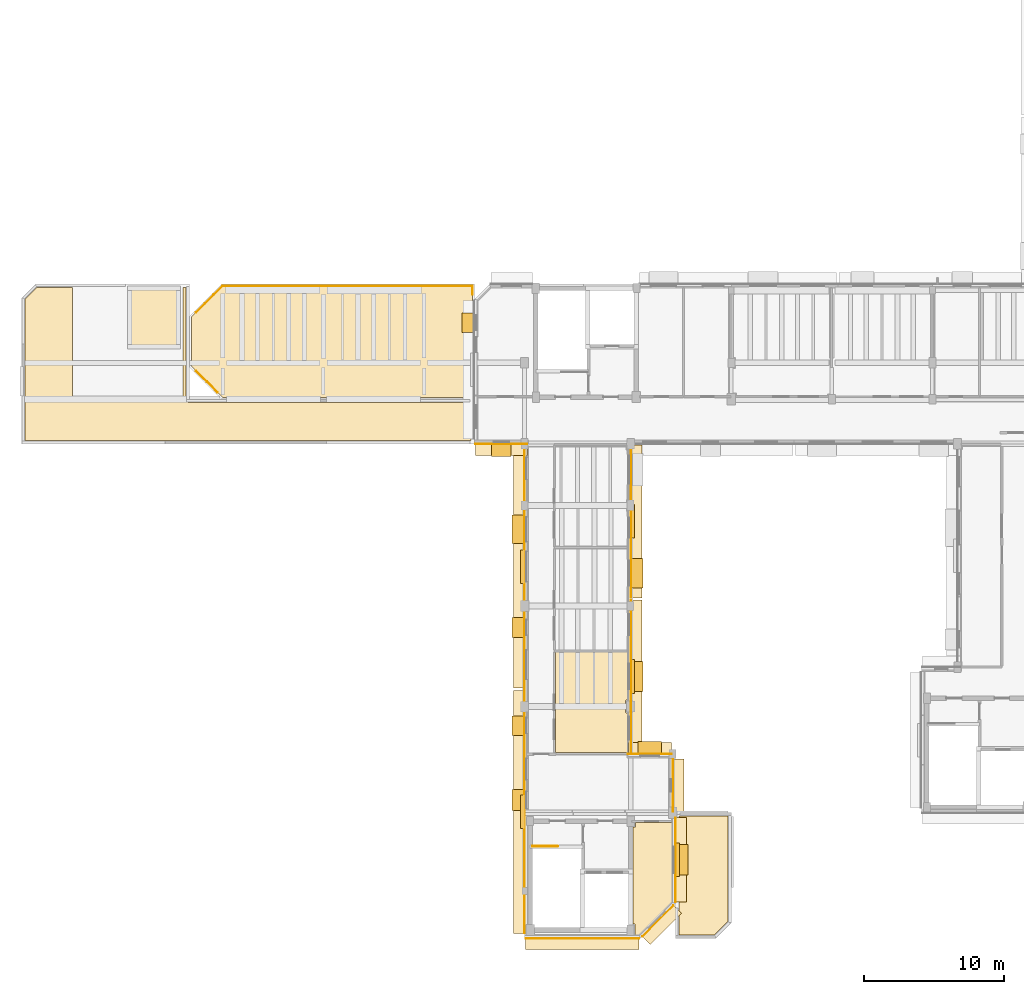
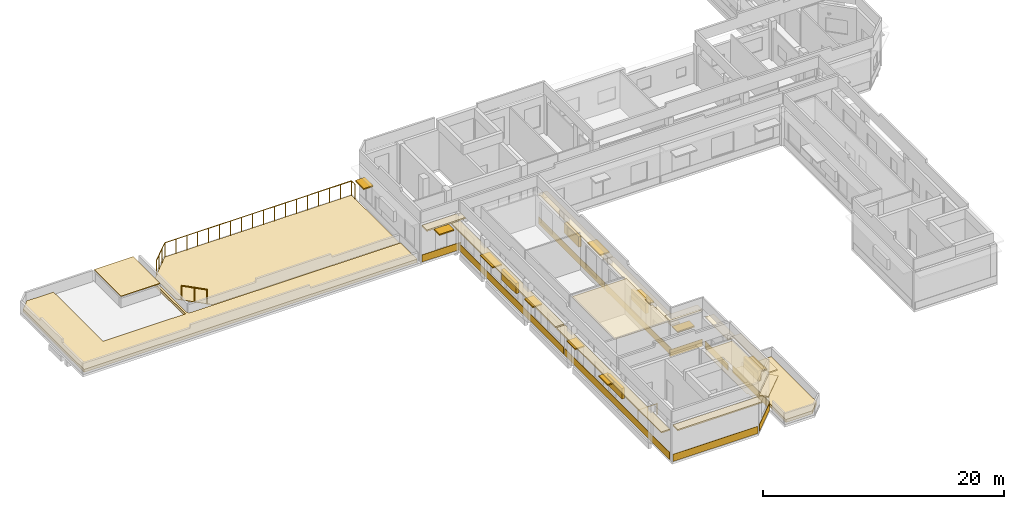
# One storey, part 14 of 17: 26 coverings, 15 shading devices, 3 railings.
"""IFC4 building model written with IfcOpenShell, lengths in metres."""

from ifc_helpers import new_model, si_unit, direction, frame, origin, origin_2d, place, context, subcontext, project, spatial, polyline, rectangle, circle, outline, extrude, material, layer, layer_set, type_object, element, save


model = new_model("IFC4")

# Units and contexts
model_context = context("Model", 3, precision=1e-05, world=origin(), true_north=direction((0.0, 1.0)))
body_context = subcontext(model_context, "Body", "Model", "MODEL_VIEW")
ifc_project = project(units=[si_unit("LENGTHUNIT", "METRE"), si_unit("AREAUNIT", "SQUARE_METRE"), si_unit("VOLUMEUNIT", "CUBIC_METRE"), si_unit("PLANEANGLEUNIT", "RADIAN"), si_unit("MASSUNIT", "GRAM", prefix="KILO")], contexts=[model_context])

# Site, building, storey
site_placement = place(None, origin())
site = spatial("IfcSite", under=ifc_project, at=site_placement, CompositionType="ELEMENT")
building_placement = place(site_placement, origin())
building = spatial("IfcBuilding", under=site, at=building_placement, Name="Kelanivale Promenade Academy", CompositionType="ELEMENT")
storey_placement = place(building_placement, frame((0.0, 0.0, 20.199951171875)))
storey = spatial("IfcBuildingStorey", under=building, at=storey_placement, Name="L05", CompositionType="ELEMENT", Elevation=20.199951171875)

# Coverings
ifc_material_1 = material(Name="Warm ivory Art Deco stucco frieze band 40 mm", Category="masonry")
ifc_layer_1 = layer(ifc_material_1, 0.0400390625)
ifc_layer_set_1 = layer_set([ifc_layer_1], Name="Warm ivory Art Deco stucco frieze band 40 mm")
covering_type_1 = type_object("IfcCoveringType", Name="COV-CLD2 Warm ivory Art Deco stucco frieze ba", PredefinedType="CLADDING", material=ifc_layer_set_1)
covering_1_placement = place(storey_placement, frame((90.199951171875, 43.9599609375, 3.09521484375), z_axis=(0.0, 0.0, 1.0), x_axis=(0.0, 1.0, 0.0)))
element("IfcCovering", 1, at=covering_1_placement, inside=storey, type_object=covering_type_1, Name="Art Deco projecting 820 mm streamline sunshade eyebrow ledge", PredefinedType="CLADDING", context=body_context, shape_type="SweptSolid", body=[
    extrude(rectangle(XDim=3.760009765625, YDim=0.820068359375, at=origin_2d()), origin(), (0.0, 0.0, 1.0), 0.139892578125),
])
covering_2_placement = place(storey_placement, frame((89.81494140625, 43.9599609375, 0.06005859375), z_axis=(0.0, 0.0, 1.0), x_axis=(0.0, 1.0, 0.0)))
element("IfcCovering", 2, at=covering_2_placement, inside=storey, type_object=covering_type_1, Name="Art Deco ivory stucco sill frieze band", PredefinedType="CLADDING", context=body_context, shape_type="SweptSolid", body=[
    extrude(rectangle(XDim=3.760009765625, YDim=0.0400390625, at=origin_2d()), origin(), (0.0, 0.0, 1.0), 0.719970703125),
])
covering_3_placement = place(storey_placement, frame((88.159912109375, 46.60009765625, 3.6201171875), z_axis=(0.0, 0.0, 1.0), x_axis=(-1.0, 0.0, 0.0)))
element("IfcCovering", 3, at=covering_3_placement, inside=storey, type_object=covering_type_1, Name="Art Deco projecting 820 mm streamline sunshade eyebrow ledge", PredefinedType="CLADDING", context=body_context, shape_type="SweptSolid", body=[
    extrude(rectangle(XDim=3.1201171875, YDim=0.820068359375, at=origin_2d()), origin(), (0.0, 0.0, 1.0), 0.139892578125),
])
covering_4_placement = place(storey_placement, frame((88.159912109375, 46.215087890625, 0.06005859375), z_axis=(0.0, 0.0, 1.0), x_axis=(-1.0, 0.0, 0.0)))
element("IfcCovering", 4, at=covering_4_placement, inside=storey, type_object=covering_type_1, Name="Art Deco ivory stucco sill frieze band", PredefinedType="CLADDING", context=body_context, shape_type="SweptSolid", body=[
    extrude(rectangle(XDim=3.1201171875, YDim=0.0400390625, at=origin_2d()), origin(), (0.0, 0.0, 1.0), 0.719970703125),
])
covering_5_placement = place(storey_placement, frame((87.199951171875, 51.75, 3.044921875), z_axis=(0.0, 0.0, 1.0), x_axis=(0.0, 1.0, 0.0)))
element("IfcCovering", 5, at=covering_5_placement, inside=storey, type_object=covering_type_1, Name="Art Deco projecting 820 mm streamline sunshade eyebrow ledge", PredefinedType="CLADDING", context=body_context, shape_type="SweptSolid", body=[
    extrude(rectangle(XDim=10.93994140625, YDim=0.820068359375, at=origin_2d()), origin(), (0.0, 0.0, 1.0), 0.139892578125),
])
covering_6_placement = place(storey_placement, frame((86.81494140625, 51.75, 0.06005859375), z_axis=(0.0, 0.0, 1.0), x_axis=(0.0, 1.0, 0.0)))
element("IfcCovering", 6, at=covering_6_placement, inside=storey, type_object=covering_type_1, Name="Art Deco ivory stucco sill frieze band", PredefinedType="CLADDING", context=body_context, shape_type="SweptSolid", body=[
    extrude(rectangle(XDim=10.93994140625, YDim=0.0400390625, at=origin_2d()), origin(), (0.0, 0.0, 1.0), 0.719970703125),
])
covering_7_placement = place(storey_placement, frame((87.199951171875, 62.85009765625, 2.9951171875), z_axis=(0.0, 0.0, 1.0), x_axis=(0.0, 1.0, 0.0)))
element("IfcCovering", 7, at=covering_7_placement, inside=storey, type_object=covering_type_1, Name="Art Deco projecting 820 mm streamline sunshade eyebrow ledge", PredefinedType="CLADDING", context=body_context, shape_type="SweptSolid", body=[
    extrude(rectangle(XDim=10.93994140625, YDim=0.820068359375, at=origin_2d()), origin(), (0.0, 0.0, 1.0), 0.139892578125),
])
covering_8_placement = place(storey_placement, frame((86.81494140625, 62.85009765625, 0.06005859375), z_axis=(0.0, 0.0, 1.0), x_axis=(0.0, 1.0, 0.0)))
element("IfcCovering", 8, at=covering_8_placement, inside=storey, type_object=covering_type_1, Name="Art Deco ivory stucco sill frieze band", PredefinedType="CLADDING", context=body_context, shape_type="SweptSolid", body=[
    extrude(rectangle(XDim=10.93994140625, YDim=0.0400390625, at=origin_2d()), origin(), (0.0, 0.0, 1.0), 0.719970703125),
])
covering_9_placement = place(storey_placement, frame((77.5400390625, 68.0, 3.6201171875), z_axis=(0.0, 0.0, 1.0), x_axis=(1.0, 0.0, 0.0)))
element("IfcCovering", 9, at=covering_9_placement, inside=storey, type_object=covering_type_1, Name="Art Deco projecting 820 mm streamline sunshade eyebrow ledge", PredefinedType="CLADDING", context=body_context, shape_type="SweptSolid", body=[
    extrude(rectangle(XDim=3.719970703125, YDim=0.820068359375, at=origin_2d()), origin(), (0.0, 0.0, 1.0), 0.139892578125),
])
covering_10_placement = place(storey_placement, frame((77.5400390625, 68.385009765625, 0.06005859375), z_axis=(0.0, 0.0, 1.0), x_axis=(1.0, 0.0, 0.0)))
element("IfcCovering", 10, at=covering_10_placement, inside=storey, type_object=covering_type_1, Name="Art Deco ivory stucco sill frieze band", PredefinedType="CLADDING", context=body_context, shape_type="SweptSolid", body=[
    extrude(rectangle(XDim=3.719970703125, YDim=0.0400390625, at=origin_2d()), origin(), (0.0, 0.0, 1.0), 0.719970703125),
])
covering_11_placement = place(storey_placement, frame((78.800048828125, 59.6201171875, 2.9951171875), z_axis=(0.0, 0.0, 1.0), x_axis=(0.0, -1.0, 0.0)))
element("IfcCovering", 11, at=covering_11_placement, inside=storey, type_object=covering_type_1, Name="Art Deco projecting 820 mm streamline sunshade eyebrow ledge", PredefinedType="CLADDING", context=body_context, shape_type="SweptSolid", body=[
    extrude(rectangle(XDim=17.39990234375, YDim=0.820068359375, at=origin_2d()), origin(), (0.0, 0.0, 1.0), 0.139892578125),
])
covering_12_placement = place(storey_placement, frame((79.18505859375, 59.6201171875, 0.06005859375), z_axis=(0.0, 0.0, 1.0), x_axis=(0.0, -1.0, 0.0)))
element("IfcCovering", 12, at=covering_12_placement, inside=storey, type_object=covering_type_1, Name="Art Deco ivory stucco sill frieze band", PredefinedType="CLADDING", context=body_context, shape_type="SweptSolid", body=[
    extrude(rectangle(XDim=17.39990234375, YDim=0.0400390625, at=origin_2d()), origin(), (0.0, 0.0, 1.0), 0.719970703125),
])
covering_13_placement = place(storey_placement, frame((78.800048828125, 42.06005859375, 2.9951171875), z_axis=(0.0, 0.0, 1.0), x_axis=(0.0, -1.0, 0.0)))
element("IfcCovering", 13, at=covering_13_placement, inside=storey, type_object=covering_type_1, Name="Art Deco projecting 820 mm streamline sunshade eyebrow ledge", PredefinedType="CLADDING", context=body_context, shape_type="SweptSolid", body=[
    extrude(rectangle(XDim=17.39990234375, YDim=0.820068359375, at=origin_2d()), origin(), (0.0, 0.0, 1.0), 0.139892578125),
])
covering_14_placement = place(storey_placement, frame((79.18505859375, 42.06005859375, 0.06005859375), z_axis=(0.0, 0.0, 1.0), x_axis=(0.0, -1.0, 0.0)))
element("IfcCovering", 14, at=covering_14_placement, inside=storey, type_object=covering_type_1, Name="Art Deco ivory stucco sill frieze band", PredefinedType="CLADDING", context=body_context, shape_type="SweptSolid", body=[
    extrude(rectangle(XDim=17.39990234375, YDim=0.0400390625, at=origin_2d()), origin(), (0.0, 0.0, 1.0), 0.719970703125),
])
covering_15_placement = place(storey_placement, frame((83.339111328125, 32.60009765625, 3.6201171875), z_axis=(0.0, 0.0, 1.0), x_axis=(1.0, 0.0, 0.0)))
element("IfcCovering", 15, at=covering_15_placement, inside=storey, type_object=covering_type_1, Name="Art Deco projecting 820 mm streamline sunshade eyebrow ledge", PredefinedType="CLADDING", context=body_context, shape_type="SweptSolid", body=[
    extrude(rectangle(XDim=8.117919921875, YDim=0.820068359375, at=origin_2d()), origin(), (0.0, 0.0, 1.0), 0.139892578125),
])
covering_16_placement = place(storey_placement, frame((83.339111328125, 32.985107421875, 0.06005859375), z_axis=(0.0, 0.0, 1.0), x_axis=(1.0, 0.0, 0.0)))
element("IfcCovering", 16, at=covering_16_placement, inside=storey, type_object=covering_type_1, Name="Art Deco ivory stucco sill frieze band", PredefinedType="CLADDING", context=body_context, shape_type="SweptSolid", body=[
    extrude(rectangle(XDim=8.117919921875, YDim=0.0400390625, at=origin_2d()), origin(), (0.0, 0.0, 1.0), 0.719970703125),
])
covering_17_placement = place(storey_placement, frame((89.02294921875, 33.97705078125, 3.6201171875), z_axis=(0.0, 0.0, 1.0), x_axis=(0.707106781187, 0.707106781187, 0.0)))
element("IfcCovering", 17, at=covering_17_placement, inside=storey, type_object=covering_type_1, Name="Art Deco projecting 820 mm streamline sunshade eyebrow ledge", PredefinedType="CLADDING", context=body_context, shape_type="SweptSolid", body=[
    extrude(rectangle(XDim=3.1630859375, YDim=0.820068359375, at=origin_2d()), origin(), (0.0, 0.0, 1.0), 0.139892578125),
])
covering_18_placement = place(storey_placement, frame((88.7509765625, 34.2490234375, 0.06005859375), z_axis=(0.0, 0.0, 1.0), x_axis=(0.707106781187, 0.707106781187, 0.0)))
element("IfcCovering", 18, at=covering_18_placement, inside=storey, type_object=covering_type_1, Name="Art Deco ivory stucco sill frieze band", PredefinedType="CLADDING", context=body_context, shape_type="SweptSolid", body=[
    extrude(rectangle(XDim=3.1630859375, YDim=0.0400390625, at=origin_2d()), origin(), (0.0, 0.0, 1.0), 0.719970703125),
])
covering_19_placement = place(storey_placement, frame((90.39990234375, 38.62109375, 3.6201171875), z_axis=(0.0, 0.0, 1.0), x_axis=(0.0, 1.0, 0.0)))
element("IfcCovering", 19, at=covering_19_placement, inside=storey, type_object=covering_type_1, Name="Art Deco projecting 820 mm streamline sunshade eyebrow ledge", PredefinedType="CLADDING", context=body_context, shape_type="SweptSolid", body=[
    extrude(rectangle(XDim=6.0380859375, YDim=0.820068359375, at=origin_2d()), origin(), (0.0, 0.0, 1.0), 0.139892578125),
])
covering_20_placement = place(storey_placement, frame((90.014892578125, 38.62109375, 0.06005859375), z_axis=(0.0, 0.0, 1.0), x_axis=(0.0, 1.0, 0.0)))
element("IfcCovering", 20, at=covering_20_placement, inside=storey, type_object=covering_type_1, Name="Art Deco ivory stucco sill frieze band", PredefinedType="CLADDING", context=body_context, shape_type="SweptSolid", body=[
    extrude(rectangle(XDim=6.0380859375, YDim=0.0400390625, at=origin_2d()), origin(), (0.0, 0.0, 1.0), 0.719970703125),
])
ifc_material_2 = material(Name="Acoustic mineral-fibre ceiling tile 25 mm", Category="gypsum")
ifc_layer_2 = layer(ifc_material_2, 0.02490234375)
ifc_layer_set_2 = layer_set([ifc_layer_2], Name="Acoustic mineral-fibre ceiling tile 25 mm")
covering_type_2 = type_object("IfcCoveringType", Name="COV-CLG1 Acoustic mineral-fibre ceiling tile ", PredefinedType="CEILING", material=ifc_layer_set_2)
covering_21_placement = place(storey_placement, frame((0.0, 0.0, 3.550048828125)))
element("IfcCovering", 21, at=covering_21_placement, inside=storey, type_object=covering_type_2, Name="Examinations Staff Office acoustic suspended ceiling", PredefinedType="CEILING", context=body_context, shape_type="SweptSolid", body=[
    extrude(outline(polyline([(86.9599609375, 34.034912109375), (87.070068359375, 34.034912109375), (87.073974609375, 34.034912109375), (87.077880859375, 34.033935546875), (87.08203125, 34.032958984375), (87.0849609375, 34.031982421875), (87.089111328125, 34.030029296875), (87.092041015625, 34.028076171875), (87.094970703125, 34.02587890625), (87.097900390625, 34.02294921875), (87.10107421875, 34.02001953125), (87.10302734375, 34.01708984375), (87.10498046875, 34.013916015625), (87.10693359375, 34.010009765625), (87.10791015625, 34.007080078125), (87.10888671875, 34.0029296875), (87.110107421875, 33.9990234375), (87.110107421875, 33.9951171875), (87.110107421875, 33.205078125), (87.110107421875, 33.200927734375), (87.10888671875, 33.197021484375), (87.10791015625, 33.193115234375), (87.10693359375, 33.18994140625), (87.10498046875, 33.18603515625), (87.10302734375, 33.18310546875), (87.10107421875, 33.179931640625), (87.097900390625, 33.177001953125), (87.094970703125, 33.174072265625), (87.092041015625, 33.172119140625), (87.089111328125, 33.169921875), (87.0849609375, 33.16796875), (87.08203125, 33.1669921875), (87.077880859375, 33.166015625), (87.073974609375, 33.1650390625), (87.070068359375, 33.1650390625), (86.909912109375, 33.1650390625), (86.909912109375, 33.14990234375), (87.41796875, 33.14990234375), (89.85009765625, 35.58203125), (89.85009765625, 41.31494140625), (89.843994140625, 41.31103515625), (89.839111328125, 41.30810546875), (89.833984375, 41.304931640625), (89.827880859375, 41.302978515625), (89.822998046875, 41.301025390625), (89.818115234375, 41.299072265625), (89.81494140625, 41.298095703125), (89.81201171875, 41.297119140625), (89.803955078125, 41.2939453125), (89.794921875, 41.2919921875), (89.7890625, 41.291015625), (89.782958984375, 41.2900390625), (89.77587890625, 41.2900390625), (87.135009765625, 41.2900390625), (87.135009765625, 41.0048828125), (87.135009765625, 41.0009765625), (87.134033203125, 40.9970703125), (87.133056640625, 40.992919921875), (87.132080078125, 40.989990234375), (87.1298828125, 40.986083984375), (87.1279296875, 40.98291015625), (87.1259765625, 40.97998046875), (87.123046875, 40.97705078125), (87.1201171875, 40.97412109375), (87.116943359375, 40.971923828125), (87.114013671875, 40.969970703125), (87.110107421875, 40.968017578125), (87.10693359375, 40.967041015625), (87.10302734375, 40.966064453125), (87.09912109375, 40.965087890625), (87.094970703125, 40.965087890625), (86.9599609375, 40.965087890625), (86.9599609375, 34.034912109375)])), origin(), (0.0, 0.0, 1.0), 0.02490234375),
])
covering_22_placement = place(storey_placement, frame((0.0, 0.0, 3.550048828125)))
element("IfcCovering", 22, at=covering_22_placement, inside=storey, type_object=covering_type_2, Name="Sixth Form Classroom acoustic suspended ceiling", PredefinedType="CEILING", context=body_context, shape_type="SweptSolid", body=[
    extrude(outline(polyline([(86.64990234375, 46.31005859375), (86.64990234375, 49.139892578125), (86.47998046875, 49.139892578125), (86.47607421875, 49.139892578125), (86.471923828125, 49.14111328125), (86.468017578125, 49.14208984375), (86.465087890625, 49.14306640625), (86.4609375, 49.14501953125), (86.4580078125, 49.14697265625), (86.455078125, 49.14892578125), (86.451904296875, 49.152099609375), (86.448974609375, 49.155029296875), (86.447021484375, 49.157958984375), (86.445068359375, 49.160888671875), (86.443115234375, 49.1650390625), (86.44189453125, 49.16796875), (86.44091796875, 49.172119140625), (86.43994140625, 49.176025390625), (86.43994140625, 49.179931640625), (86.43994140625, 50.02001953125), (86.43994140625, 50.02392578125), (86.44091796875, 50.028076171875), (86.44189453125, 50.031982421875), (86.443115234375, 50.034912109375), (86.445068359375, 50.0390625), (86.447021484375, 50.0419921875), (86.448974609375, 50.044921875), (86.451904296875, 50.048095703125), (86.455078125, 50.051025390625), (86.4580078125, 50.052978515625), (86.4609375, 50.054931640625), (86.465087890625, 50.056884765625), (86.468017578125, 50.05810546875), (86.471923828125, 50.05908203125), (86.47607421875, 50.06005859375), (86.47998046875, 50.06005859375), (86.64990234375, 50.06005859375), (86.64990234375, 53.489990234375), (81.409912109375, 53.489990234375), (81.409912109375, 46.31005859375), (86.64990234375, 46.31005859375)])), origin(), (0.0, 0.0, 1.0), 0.02490234375),
])
ifc_material_3 = material(Name="Impact-absorbing EPDM rooftop Play Deck surfacing 40 mm", Category="masonry")
ifc_layer_3 = layer(ifc_material_3, 0.0400390625)
ifc_layer_set_3 = layer_set([ifc_layer_3], Name="Impact-absorbing EPDM rooftop Play Deck surfacing 40 mm")
covering_type_3 = type_object("IfcCoveringType", Name="COV-FLR3 Impact-absorbing EPDM rooftop Play D", PredefinedType="FLOORING", material=ifc_layer_set_3)
covering_23_placement = place(storey_placement, origin())
element("IfcCovering", 23, at=covering_23_placement, inside=storey, type_object=covering_type_3, Name="West Sixth Form Rooftop Play Deck EPDM safety surfacing", PredefinedType="FLOORING", context=body_context, shape_type="SweptSolid", body=[
    extrude(outline(polyline([(57.568115234375, 71.739990234375), (75.4599609375, 71.739990234375), (75.4599609375, 79.7099609375), (57.568115234375, 79.7099609375), (55.340087890625, 77.48193359375), (55.340087890625, 73.968017578125), (57.568115234375, 71.739990234375)])), origin(), (0.0, 0.0, 1.0), 0.0400390625),
])
ifc_material_4 = material(Name="Standing-seam zinc-aluminium insulated hall roofing 60 mm", Category="aluminium")
ifc_layer_4 = layer(ifc_material_4, 0.06005859375)
ifc_layer_set_4 = layer_set([ifc_layer_4], Name="Standing-seam zinc-aluminium insulated hall roofing 60 mm")
covering_type_4 = type_object("IfcCoveringType", Name="COV-RFG1 Standing-seam zinc-aluminium insulat", PredefinedType="ROOFING", material=ifc_layer_set_4)
covering_24_placement = place(storey_placement, frame((0.0, 0.0, 1.10009765625)))
element("IfcCovering", 24, at=covering_24_placement, inside=storey, type_object=covering_type_4, Name="CORE-4 overrun standing-seam roof membrane", PredefinedType="ROOFING", context=body_context, shape_type="SweptSolid", body=[
    extrude(outline(polyline([(50.784912109375, 75.22509765625), (54.534912109375, 75.22509765625), (54.534912109375, 79.68505859375), (50.784912109375, 79.68505859375), (50.784912109375, 75.22509765625)])), origin(), (0.0, 0.0, 1.0), 0.06005859375),
])
ifc_material_5 = material(Name="Extensive tropical planted green-roof substrate 300 mm", Category="masonry")
ifc_layer_5 = layer(ifc_material_5, 0.300048828125)
ifc_layer_set_5 = layer_set([ifc_layer_5], Name="Extensive tropical planted green-roof substrate 300 mm")
covering_type_5 = type_object("IfcCoveringType", Name="COV-RFG2 Extensive tropical planted green-roo", PredefinedType="ROOFING", material=ifc_layer_set_5)
covering_25_placement = place(storey_placement, origin())
element("IfcCovering", 25, at=covering_25_placement, inside=storey, type_object=covering_type_5, Name="L05 planted green-roof substrate", PredefinedType="ROOFING", context=body_context, shape_type="SweptSolid", body=[
    extrude(outline(polyline([(92.781005859375, 33.239990234375), (93.760009765625, 34.218994140625), (93.760009765625, 41.760009765625), (90.239990234375, 41.760009765625), (90.239990234375, 33.239990234375), (92.781005859375, 33.239990234375)])), origin(), (0.0, 0.0, 1.0), 0.300048828125),
])
covering_26_placement = place(storey_placement, origin())
element("IfcCovering", 26, at=covering_26_placement, inside=storey, type_object=covering_type_5, Name="L05 planted green-roof substrate", PredefinedType="ROOFING", context=body_context, shape_type="SweptSolid", body=[
    extrude(outline(polyline([(54.9599609375, 71.60009765625), (54.9599609375, 79.610107421875), (54.75, 79.610107421875), (54.75, 71.39990234375), (46.85009765625, 71.39990234375), (46.85009765625, 79.610107421875), (44.299072265625, 79.610107421875), (43.43994140625, 78.7509765625), (43.43994140625, 68.639892578125), (75.360107421875, 68.639892578125), (75.360107421875, 71.360107421875), (55.199951171875, 71.360107421875), (55.176025390625, 71.361083984375), (55.153076171875, 71.364990234375), (55.1298828125, 71.3701171875), (55.10791015625, 71.3779296875), (55.0869140625, 71.387939453125), (55.06689453125, 71.39990234375), (55.048095703125, 71.4140625), (55.030029296875, 71.429931640625), (55.013916015625, 71.447998046875), (55.0, 71.467041015625), (54.988037109375, 71.487060546875), (54.97802734375, 71.508056640625), (54.969970703125, 71.530029296875), (54.965087890625, 71.552978515625), (54.9609375, 71.575927734375), (54.9599609375, 71.60009765625)])), origin(), (0.0, 0.0, 1.0), 0.300048828125),
])

# Railings
ifc_material_6 = material(Name="Brushed stainless steel grade 316", Category="steel")
railing_type_1 = type_object("IfcRailingType", Name="GR-01 Stair Guard 1100mm", PredefinedType="BALUSTRADE", material=ifc_material_6)
railing_1_placement = place(storey_placement, frame((79.764892578125, 39.594970703125, 0.0)))
element("IfcRailing", 27, at=railing_1_placement, inside=storey, type_object=railing_type_1, Name="L05 ST-01 top well guard 1", PredefinedType="BALUSTRADE", context=body_context, shape_type="SweptSolid", body=[
    extrude(circle(Radius=0.02392578125, at=origin_2d()), frame((0.0, 0.0, 1.09619140625), z_axis=(1.0, 0.0, 0.0), x_axis=(0.0, 1.0, 0.0)), (0.0, 0.0, 1.0), 1.81005859375),
    extrude(circle(Radius=0.02099609375, at=origin_2d()), origin(), (0.0, 0.0, 1.0), 1.072021484375),
    extrude(circle(Radius=0.02099609375, at=origin_2d()), frame((0.905029296875, 0.0, 0.0)), (0.0, 0.0, 1.0), 1.072021484375),
    extrude(circle(Radius=0.02099609375, at=origin_2d()), frame((1.81005859375, 0.0, 0.0)), (0.0, 0.0, 1.0), 1.072021484375),
])
ifc_material_7 = material(Name="Powder-coated galvanized steel and stainless top rail", Category="steel")
railing_type_2 = type_object("IfcRailingType", Name="GR-02 Play Deck Balustrade 1500mm", PredefinedType="BALUSTRADE", material=ifc_material_7)
railing_2_placement = place(storey_placement, frame((55.679931640625, 77.822021484375, 0.0)))
element("IfcRailing", 28, at=railing_2_placement, inside=storey, type_object=railing_type_2, Name="West Sixth Form Rooftop Play Deck 1500 mm safety balustrade", PredefinedType="BALUSTRADE", context=body_context, shape_type="SweptSolid", body=[
    extrude(circle(Radius=0.02392578125, at=origin_2d()), frame((0.0, 0.0, 1.47607421875), z_axis=(0.707152496834, 0.707061062583, 0.0), x_axis=(-0.707061062583, 0.707152496834, 0.0)), (0.0, 0.0, 1.0), 2.670166015625),
    extrude(circle(Radius=0.02392578125, at=origin_2d()), frame((1.88818359375, 1.887939453125, 1.47607421875), z_axis=(1.0, 0.0, 0.0), x_axis=(0.0, 1.0, 0.0)), (0.0, 0.0, 1.0), 17.891845703125),
    extrude(circle(Radius=0.02392578125, at=origin_2d()), frame((19.780029296875, 1.887939453125, 1.47607421875), z_axis=(0.0, -1.0, 0.0), x_axis=(1.0, 0.0, 0.0)), (0.0, 0.0, 1.0), 0.60498046875),
    extrude(circle(Radius=0.02099609375, at=origin_2d()), origin(), (0.0, 0.0, 1.0), 1.451904296875),
    extrude(circle(Radius=0.02099609375, at=origin_2d()), frame((0.62939453125, 0.62939453125, 0.0)), (0.0, 0.0, 1.0), 1.451904296875),
    extrude(circle(Radius=0.02099609375, at=origin_2d()), frame((1.2587890625, 1.258544921875, 0.0)), (0.0, 0.0, 1.0), 1.451904296875),
    extrude(circle(Radius=0.02099609375, at=origin_2d()), frame((1.88818359375, 1.887939453125, 0.0)), (0.0, 0.0, 1.0), 1.451904296875),
    extrude(circle(Radius=0.02099609375, at=origin_2d()), frame((2.940673828125, 1.887939453125, 0.0)), (0.0, 0.0, 1.0), 1.451904296875),
    extrude(circle(Radius=0.02099609375, at=origin_2d()), frame((3.9931640625, 1.887939453125, 0.0)), (0.0, 0.0, 1.0), 1.451904296875),
    extrude(circle(Radius=0.02099609375, at=origin_2d()), frame((5.045654296875, 1.887939453125, 0.0)), (0.0, 0.0, 1.0), 1.451904296875),
    extrude(circle(Radius=0.02099609375, at=origin_2d()), frame((6.09814453125, 1.887939453125, 0.0)), (0.0, 0.0, 1.0), 1.451904296875),
    extrude(circle(Radius=0.02099609375, at=origin_2d()), frame((7.150390625, 1.887939453125, 0.0)), (0.0, 0.0, 1.0), 1.451904296875),
    extrude(circle(Radius=0.02099609375, at=origin_2d()), frame((8.202880859375, 1.887939453125, 0.0)), (0.0, 0.0, 1.0), 1.451904296875),
    extrude(circle(Radius=0.02099609375, at=origin_2d()), frame((9.25537109375, 1.887939453125, 0.0)), (0.0, 0.0, 1.0), 1.451904296875),
    extrude(circle(Radius=0.02099609375, at=origin_2d()), frame((10.307861328125, 1.887939453125, 0.0)), (0.0, 0.0, 1.0), 1.451904296875),
    extrude(circle(Radius=0.02099609375, at=origin_2d()), frame((11.3603515625, 1.887939453125, 0.0)), (0.0, 0.0, 1.0), 1.451904296875),
    extrude(circle(Radius=0.02099609375, at=origin_2d()), frame((12.412841796875, 1.887939453125, 0.0)), (0.0, 0.0, 1.0), 1.451904296875),
    extrude(circle(Radius=0.02099609375, at=origin_2d()), frame((13.46533203125, 1.887939453125, 0.0)), (0.0, 0.0, 1.0), 1.451904296875),
    extrude(circle(Radius=0.02099609375, at=origin_2d()), frame((14.517822265625, 1.887939453125, 0.0)), (0.0, 0.0, 1.0), 1.451904296875),
    extrude(circle(Radius=0.02099609375, at=origin_2d()), frame((15.570068359375, 1.887939453125, 0.0)), (0.0, 0.0, 1.0), 1.451904296875),
    extrude(circle(Radius=0.02099609375, at=origin_2d()), frame((16.62255859375, 1.887939453125, 0.0)), (0.0, 0.0, 1.0), 1.451904296875),
    extrude(circle(Radius=0.02099609375, at=origin_2d()), frame((17.675048828125, 1.887939453125, 0.0)), (0.0, 0.0, 1.0), 1.451904296875),
    extrude(circle(Radius=0.02099609375, at=origin_2d()), frame((18.7275390625, 1.887939453125, 0.0)), (0.0, 0.0, 1.0), 1.451904296875),
    extrude(circle(Radius=0.02099609375, at=origin_2d()), frame((19.780029296875, 1.887939453125, 0.0)), (0.0, 0.0, 1.0), 1.451904296875),
    extrude(circle(Radius=0.02099609375, at=origin_2d()), frame((19.780029296875, 1.282958984375, 0.0)), (0.0, 0.0, 1.0), 1.451904296875),
])
railing_3_placement = place(storey_placement, frame((57.22802734375, 72.080078125, 0.0)))
element("IfcRailing", 29, at=railing_3_placement, inside=storey, type_object=railing_type_2, Name="West Sixth Form Rooftop Play Deck 1500 mm safety balustrade", PredefinedType="BALUSTRADE", context=body_context, shape_type="SweptSolid", body=[
    extrude(circle(Radius=0.02392578125, at=origin_2d()), frame((0.0, 0.0, 1.47607421875), z_axis=(-0.707162540109, 0.707051017867, 0.0), x_axis=(-0.707051017867, -0.707162540109, 0.0)), (0.0, 0.0, 1.0), 2.189208984375),
    extrude(circle(Radius=0.02099609375, at=origin_2d()), origin(), (0.0, 0.0, 1.0), 1.451904296875),
    extrude(circle(Radius=0.02099609375, at=origin_2d()), frame((-0.77392578125, 0.77392578125, 0.0)), (0.0, 0.0, 1.0), 1.451904296875),
    extrude(circle(Radius=0.02099609375, at=origin_2d()), frame((-1.548095703125, 1.5478515625, 0.0)), (0.0, 0.0, 1.0), 1.451904296875),
])

# Shading devices
ifc_material_8 = material(Name="Precast concrete C40/50", Category="concrete")
ifc_layer_6 = layer(ifc_material_8, 0.1201171875)
ifc_layer_set_6 = layer_set([ifc_layer_6], Name="Precast concrete C40/50")
shading_device_type_1 = type_object("IfcShadingDeviceType", Name="SHD-01 Art Deco Sunshade Eyebrow 900mm", PredefinedType="USERDEFINED", material=ifc_layer_set_6)
shading_device_1_placement = place(storey_placement, frame((88.159912109375, 46.639892578125, 2.260009765625), z_axis=(0.0, 0.0, 1.0), x_axis=(-1.0, 0.0, 0.0)))
element("IfcShadingDevice", 30, at=shading_device_1_placement, inside=storey, type_object=shading_device_type_1, Name="Art Deco 900 mm precast chajja window sunshade", ObjectType="SUNSHADE", PredefinedType="USERDEFINED", context=body_context, shape_type="SweptSolid", body=[
    extrude(rectangle(XDim=1.64990234375, YDim=0.89990234375, at=origin_2d()), origin(), (0.0, 0.0, 1.0), 0.1201171875),
])
shading_device_2_placement = place(storey_placement, frame((87.239990234375, 51.75, 2.4599609375), z_axis=(0.0, 0.0, 1.0), x_axis=(0.0, 1.0, 0.0)))
element("IfcShadingDevice", 31, at=shading_device_2_placement, inside=storey, type_object=shading_device_type_1, Name="Art Deco 900 mm precast chajja window sunshade", ObjectType="SUNSHADE", PredefinedType="USERDEFINED", context=body_context, shape_type="SweptSolid", body=[
    extrude(rectangle(XDim=2.14990234375, YDim=0.89990234375, at=origin_2d()), origin(), (0.0, 0.0, 1.0), 0.1201171875),
])
shading_device_3_placement = place(storey_placement, frame((87.239990234375, 59.14990234375, 3.010009765625), z_axis=(0.0, 0.0, 1.0), x_axis=(0.0, 1.0, 0.0)))
element("IfcShadingDevice", 32, at=shading_device_3_placement, inside=storey, type_object=shading_device_type_1, Name="Art Deco 900 mm precast chajja window sunshade", ObjectType="SUNSHADE", PredefinedType="USERDEFINED", context=body_context, shape_type="SweptSolid", body=[
    extrude(rectangle(XDim=2.10009765625, YDim=0.89990234375, at=origin_2d()), origin(), (0.0, 0.0, 1.0), 0.1201171875),
])
for number, where, z_axis, x_axis, name in (
    (33, (75.159912109375, 77.0810546875, 2.860107421875), (0.0, 0.0, 1.0), (0.0, -1.0, 0.0), "Art Deco 900 mm precast chajja window sunshade"),
    (34, (77.5400390625, 67.9599609375, 2.860107421875), (0.0, 0.0, 1.0), (1.0, 0.0, 0.0), "Art Deco 900 mm precast chajja window sunshade"),
):
    element("IfcShadingDevice", number, at=place(storey_placement, frame(where, z_axis=z_axis, x_axis=x_axis)), inside=storey, type_object=shading_device_type_1, Name=name, ObjectType="SUNSHADE", PredefinedType="USERDEFINED", context=body_context, shape_type="SweptSolid", body=[
        extrude(rectangle(XDim=1.39990234375, YDim=0.89990234375, at=origin_2d()), origin(), (0.0, 0.0, 1.0), 0.1201171875),
    ])
shading_device_4_placement = place(storey_placement, frame((78.760009765625, 62.281982421875, 2.81005859375), z_axis=(0.0, 0.0, 1.0), x_axis=(0.0, -1.0, 0.0)))
element("IfcShadingDevice", 35, at=shading_device_4_placement, inside=storey, type_object=shading_device_type_1, Name="Art Deco 900 mm precast chajja window sunshade", ObjectType="SUNSHADE", PredefinedType="USERDEFINED", context=body_context, shape_type="SweptSolid", body=[
    extrude(rectangle(XDim=2.050048828125, YDim=0.89990234375, at=origin_2d()), origin(), (0.0, 0.0, 1.0), 0.1201171875),
])
for number, where, z_axis, x_axis, name in (
    (36, (78.760009765625, 55.258056640625, 2.860107421875), (0.0, 0.0, 1.0), (0.0, -1.0, 0.0), "Art Deco 900 mm precast chajja window sunshade"),
    (37, (78.760009765625, 48.23388671875, 2.860107421875), (0.0, 0.0, 1.0), (0.0, -1.0, 0.0), "Art Deco 900 mm precast chajja window sunshade"),
):
    element("IfcShadingDevice", number, at=place(storey_placement, frame(where, z_axis=z_axis, x_axis=x_axis)), inside=storey, type_object=shading_device_type_1, Name=name, ObjectType="SUNSHADE", PredefinedType="USERDEFINED", context=body_context, shape_type="SweptSolid", body=[
        extrude(rectangle(XDim=1.39990234375, YDim=0.89990234375, at=origin_2d()), origin(), (0.0, 0.0, 1.0), 0.1201171875),
    ])
shading_device_5_placement = place(storey_placement, frame((78.760009765625, 42.909912109375, 2.510009765625), z_axis=(0.0, 0.0, 1.0), x_axis=(0.0, -1.0, 0.0)))
element("IfcShadingDevice", 38, at=shading_device_5_placement, inside=storey, type_object=shading_device_type_1, Name="Art Deco 900 mm precast chajja window sunshade", ObjectType="SUNSHADE", PredefinedType="USERDEFINED", context=body_context, shape_type="SweptSolid", body=[
    extrude(rectangle(XDim=1.5, YDim=0.89990234375, at=origin_2d()), origin(), (0.0, 0.0, 1.0), 0.1201171875),
])
shading_device_6_placement = place(storey_placement, frame((90.43994140625, 38.62109375, 2.510009765625), z_axis=(0.0, 0.0, 1.0), x_axis=(0.0, 1.0, 0.0)))
element("IfcShadingDevice", 39, at=shading_device_6_placement, inside=storey, type_object=shading_device_type_1, Name="Art Deco 900 mm precast chajja window sunshade", ObjectType="SUNSHADE", PredefinedType="USERDEFINED", context=body_context, shape_type="SweptSolid", body=[
    extrude(rectangle(XDim=2.199951171875, YDim=0.89990234375, at=origin_2d()), origin(), (0.0, 0.0, 1.0), 0.1201171875),
])
ifc_material_9 = material(Name="Bronze anodised aluminium EN AW-6063 T6", Category="aluminium")
ifc_layer_7 = layer(ifc_material_9, 0.080078125)
ifc_layer_set_7 = layer_set([ifc_layer_7], Name="Bronze anodised aluminium EN AW-6063 T6")
shading_device_type_2 = type_object("IfcShadingDeviceType", Name="SHD-02 Perforated Brise-Soleil Screen", PredefinedType="JALOUSIE", material=ifc_layer_set_7)
for number, where, z_axis, x_axis, name in (
    (40, (86.93505859375, 51.75, 1.72509765625), (0.0, 0.0, 1.0), (0.0, 1.0, 0.0), "Perforated Art Deco brise-soleil louvre screen"),
    (41, (86.93505859375, 62.85009765625, 1.72509765625), (0.0, 0.0, 1.0), (0.0, 1.0, 0.0), "Perforated Art Deco brise-soleil louvre screen"),
    (42, (79.06494140625, 59.6201171875, 1.72509765625), (0.0, 0.0, 1.0), (0.0, -1.0, 0.0), "Perforated Art Deco brise-soleil louvre screen"),
    (43, (79.06494140625, 42.06005859375, 1.72509765625), (0.0, 0.0, 1.0), (0.0, -1.0, 0.0), "Perforated Art Deco brise-soleil louvre screen"),
    (44, (90.135009765625, 38.62109375, 1.72509765625), (0.0, 0.0, 1.0), (0.0, 1.0, 0.0), "Perforated Art Deco brise-soleil louvre screen"),
):
    element("IfcShadingDevice", number, at=place(storey_placement, frame(where, z_axis=z_axis, x_axis=x_axis)), inside=storey, type_object=shading_device_type_2, Name=name, PredefinedType="JALOUSIE", context=body_context, shape_type="SweptSolid", body=[
        extrude(rectangle(XDim=2.39990234375, YDim=0.280029296875, at=origin_2d()), origin(), (0.0, 0.0, 1.0), 1.050048828125),
    ])

save(model, "model.ifc")
